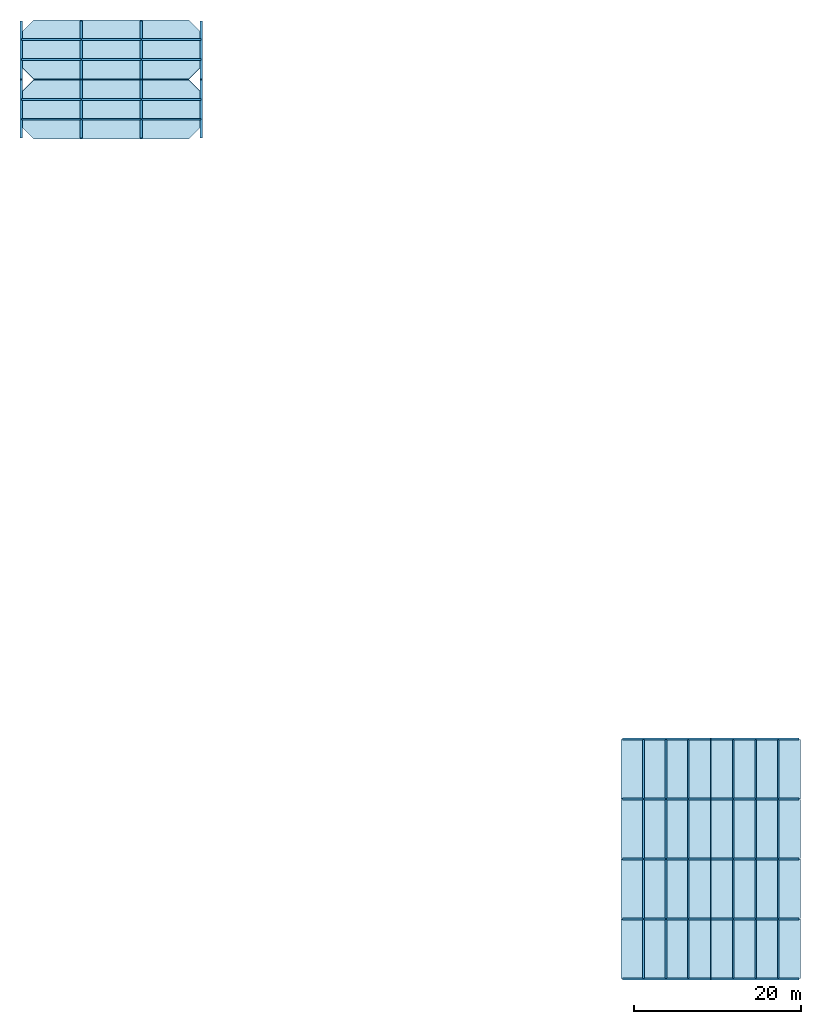
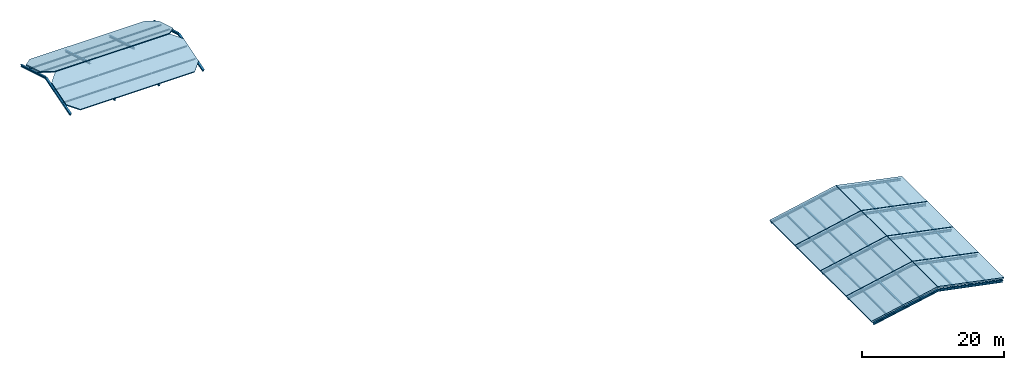
# One storey: 54 members, 10 slabs.
"""IFC4 building model written with IfcOpenShell, lengths in metres."""

from ifc_helpers import new_model, si_unit, direction, frame, origin, origin_2d, place, context, subcontext, project, spatial, polyline, i_section, outline, extrude, material, layer, layer_set, material_profile, profile_set, type_object, element, save


model = new_model("IFC4")

# Units and contexts
model_context = context("Model", 3, precision=1e-05, world=origin(), true_north=direction((0.0, 1.0)))
body_context = subcontext(model_context, "Body", "Model", "MODEL_VIEW")
ifc_project = project(units=[si_unit("LENGTHUNIT", "METRE"), si_unit("AREAUNIT", "SQUARE_METRE"), si_unit("VOLUMEUNIT", "CUBIC_METRE"), si_unit("PLANEANGLEUNIT", "RADIAN"), si_unit("MASSUNIT", "GRAM", prefix="KILO")], contexts=[model_context])

# Site, building, storey
site_placement = place(None, origin())
site = spatial("IfcSite", under=ifc_project, at=site_placement, CompositionType="ELEMENT")
building_placement = place(site_placement, origin())
building = spatial("IfcBuilding", under=site, at=building_placement, Name="Koriwan Promenade Central Fire Station", CompositionType="ELEMENT")
storey_placement = place(building_placement, frame((0.0, 0.0, 25.199951171875)))
storey = spatial("IfcBuildingStorey", under=building, at=storey_placement, Name="ROOF", CompositionType="ELEMENT", Elevation=25.199951171875)

# Members
ifc_material_1 = material(Name="Steel ASTM A992 Grade 50", Category="steel")
ifc_material_profile_1 = material_profile(ifc_material_1, i_section(OverallWidth=0.304931640625, OverallDepth=0.30810546875, WebThickness=0.010009765625, FlangeThickness=0.015380859375, FilletRadius=0.014892578125, at=origin_2d()), Name="W310x97")
ifc_profile_set_1 = profile_set([ifc_material_profile_1], Name="Steel ASTM A992 Grade 50")
member_type_1 = type_object("IfcMemberType", Name="Member_CHORD_W310x97", PredefinedType="CHORD", material=ifc_profile_set_1)
for number, where, z_axis, x_axis, name in (
    (1, (79.199951171875, 101.0, -0.449951171875), (0.0, 0.957822607396, 0.287360144699), (-1.0, 0.0, 0.0), "V2 crown south rafter 1"),
    (2, (79.199951171875, 108.0, 1.650146484375), (0.0, 0.957822607396, -0.287360144699), (-1.0, 0.0, 0.0), "V2 crown north rafter 1"),
    (3, (86.39990234375, 101.0, -0.449951171875), (0.0, 0.957822607396, 0.287360144699), (-1.0, 0.0, 0.0), "V2 crown south rafter 2"),
    (4, (86.39990234375, 108.0, 1.650146484375), (0.0, 0.957822607396, -0.287360144699), (-1.0, 0.0, 0.0), "V2 crown north rafter 2"),
    (5, (93.60009765625, 101.0, -0.449951171875), (0.0, 0.957822607396, 0.287360144699), (-1.0, 0.0, 0.0), "V2 crown south rafter 3"),
    (6, (93.60009765625, 108.0, 1.650146484375), (0.0, 0.957822607396, -0.287360144699), (-1.0, 0.0, 0.0), "V2 crown north rafter 3"),
    (7, (100.800048828125, 101.0, -0.449951171875), (0.0, 0.957822607396, 0.287360144699), (-1.0, 0.0, 0.0), "V2 crown south rafter 4"),
    (8, (100.800048828125, 108.0, 1.650146484375), (0.0, 0.957822607396, -0.287360144699), (-1.0, 0.0, 0.0), "V2 crown north rafter 4"),
):
    element("IfcMember", number, at=place(storey_placement, frame(where, z_axis=z_axis, x_axis=x_axis)), inside=storey, type_object=member_type_1, Name=name, PredefinedType="CHORD", context=body_context, shape_type="SweptSolid", body=[
        extrude(i_section(OverallWidth=0.304931640625, OverallDepth=0.30810546875, WebThickness=0.010009765625, FlangeThickness=0.015380859375, FilletRadius=0.014892578125, at=origin_2d()), origin(), (0.0, 0.0, 1.0), 7.308349609375),
    ])
ifc_material_profile_2 = material_profile(ifc_material_1, i_section(OverallWidth=0.257080078125, OverallDepth=0.363037109375, WebThickness=0.012939453125, FlangeThickness=0.021728515625, FilletRadius=0.014892578125, at=origin_2d()), Name="W360x122")
ifc_profile_set_2 = profile_set([ifc_material_profile_2], Name="Steel ASTM A992 Grade 50")
member_type_2 = type_object("IfcMemberType", Name="Member_CHORD_W360x122", PredefinedType="CHORD", material=ifc_profile_set_2)
for number, where, z_axis, x_axis, name in (
    (9, (151.449951171875, 0.0, -0.47998046875), (0.980757477931, 0.0, 0.195230042468), (0.0, 1.0, 0.0), "V5 crown west rafter 1"),
    (10, (162.0, 0.0, 1.6201171875), (0.980757477931, 0.0, -0.195230042468), (0.0, 1.0, 0.0), "V5 crown east rafter 1"),
    (11, (151.449951171875, 7.199951171875, -0.47998046875), (0.980757477931, 0.0, 0.195230042468), (0.0, 1.0, 0.0), "V5 crown west rafter 2"),
    (12, (162.0, 7.199951171875, 1.6201171875), (0.980757477931, 0.0, -0.195230042468), (0.0, 1.0, 0.0), "V5 crown east rafter 2"),
    (13, (151.449951171875, 14.39990234375, -0.47998046875), (0.980757477931, 0.0, 0.195230042468), (0.0, 1.0, 0.0), "V5 crown west rafter 3"),
    (14, (162.0, 14.39990234375, 1.6201171875), (0.980757477931, 0.0, -0.195230042468), (0.0, 1.0, 0.0), "V5 crown east rafter 3"),
    (15, (151.449951171875, 21.60009765625, -0.47998046875), (0.980757477931, 0.0, 0.195230042468), (0.0, 1.0, 0.0), "V5 crown west rafter 4"),
    (16, (162.0, 21.60009765625, 1.6201171875), (0.980757477931, 0.0, -0.195230042468), (0.0, 1.0, 0.0), "V5 crown east rafter 4"),
    (17, (151.449951171875, 28.800048828125, -0.47998046875), (0.980757477931, 0.0, 0.195230042468), (0.0, 1.0, 0.0), "V5 crown west rafter 5"),
    (18, (162.0, 28.800048828125, 1.6201171875), (0.980757477931, 0.0, -0.195230042468), (0.0, 1.0, 0.0), "V5 crown east rafter 5"),
):
    element("IfcMember", number, at=place(storey_placement, frame(where, z_axis=z_axis, x_axis=x_axis)), inside=storey, type_object=member_type_2, Name=name, PredefinedType="CHORD", context=body_context, shape_type="SweptSolid", body=[
        extrude(i_section(OverallWidth=0.257080078125, OverallDepth=0.363037109375, WebThickness=0.012939453125, FlangeThickness=0.021728515625, FilletRadius=0.014892578125, at=origin_2d()), origin(), (0.0, 0.0, 1.0), 10.757080078125),
    ])
ifc_material_profile_3 = material_profile(ifc_material_1, i_section(OverallWidth=0.202880859375, OverallDepth=0.202880859375, WebThickness=0.007080078125, FlangeThickness=0.010986328125, FilletRadius=0.010009765625, at=origin_2d()), Name="W200x46")
ifc_profile_set_3 = profile_set([ifc_material_profile_3], Name="Steel ASTM A992 Grade 50")
member_type_3 = type_object("IfcMemberType", Name="Member_PURLIN_W200x46", PredefinedType="PURLIN", material=ifc_profile_set_3)
for number, where, z_axis, x_axis, name in (
    (19, (79.239990234375, 103.199951171875, 0.27783203125), (1.0, 0.0, 0.0), (0.0, 1.0, 0.0), "V2 crown purlin 1-1"),
    (20, (79.239990234375, 105.60009765625, 1.01123046875), (1.0, 0.0, 0.0), (0.0, 1.0, 0.0), "V2 crown purlin 1-2"),
    (21, (79.239990234375, 110.39990234375, 1.01123046875), (1.0, 0.0, 0.0), (0.0, 1.0, 0.0), "V2 crown purlin 1-3"),
    (22, (79.239990234375, 112.800048828125, 0.27783203125), (1.0, 0.0, 0.0), (0.0, 1.0, 0.0), "V2 crown purlin 1-4"),
    (23, (86.43994140625, 103.199951171875, 0.27783203125), (1.0, 0.0, 0.0), (0.0, 1.0, 0.0), "V2 crown purlin 2-1"),
    (24, (86.43994140625, 105.60009765625, 1.01123046875), (1.0, 0.0, 0.0), (0.0, 1.0, 0.0), "V2 crown purlin 2-2"),
    (25, (86.43994140625, 110.39990234375, 1.01123046875), (1.0, 0.0, 0.0), (0.0, 1.0, 0.0), "V2 crown purlin 2-3"),
    (26, (86.43994140625, 112.800048828125, 0.27783203125), (1.0, 0.0, 0.0), (0.0, 1.0, 0.0), "V2 crown purlin 2-4"),
    (27, (93.639892578125, 103.199951171875, 0.27783203125), (1.0, 0.0, 0.0), (0.0, 1.0, 0.0), "V2 crown purlin 3-1"),
    (28, (93.639892578125, 105.60009765625, 1.01123046875), (1.0, 0.0, 0.0), (0.0, 1.0, 0.0), "V2 crown purlin 3-2"),
    (29, (93.639892578125, 110.39990234375, 1.01123046875), (1.0, 0.0, 0.0), (0.0, 1.0, 0.0), "V2 crown purlin 3-3"),
    (30, (93.639892578125, 112.800048828125, 0.27783203125), (1.0, 0.0, 0.0), (0.0, 1.0, 0.0), "V2 crown purlin 3-4"),
):
    element("IfcMember", number, at=place(storey_placement, frame(where, z_axis=z_axis, x_axis=x_axis)), inside=storey, type_object=member_type_3, Name=name, PredefinedType="PURLIN", context=body_context, shape_type="SweptSolid", body=[
        extrude(i_section(OverallWidth=0.202880859375, OverallDepth=0.202880859375, WebThickness=0.007080078125, FlangeThickness=0.010986328125, FilletRadius=0.010009765625, at=origin_2d()), origin(), (0.0, 0.0, 1.0), 7.1201171875),
    ])
ifc_material_profile_4 = material_profile(ifc_material_1, i_section(OverallWidth=0.202880859375, OverallDepth=0.251953125, WebThickness=0.008056640625, FlangeThickness=0.013427734375, FilletRadius=0.012939453125, at=origin_2d()), Name="W250x58")
ifc_profile_set_4 = profile_set([ifc_material_profile_4], Name="Steel ASTM A992 Grade 50")
member_type_4 = type_object("IfcMemberType", Name="Member_PURLIN_W250x58", PredefinedType="PURLIN", material=ifc_profile_set_4)
for number, where, z_axis, x_axis, name in (
    (31, (153.89990234375, 0.0400390625, 0.03173828125), (0.0, 1.0, 0.0), (-1.0, 0.0, 0.0), "V5 crown purlin 1-1"),
    (32, (156.60009765625, 0.0400390625, 0.58154296875), (0.0, 1.0, 0.0), (-1.0, 0.0, 0.0), "V5 crown purlin 1-2"),
    (33, (159.300048828125, 0.0400390625, 1.131591796875), (0.0, 1.0, 0.0), (-1.0, 0.0, 0.0), "V5 crown purlin 1-3"),
    (34, (164.699951171875, 0.0400390625, 1.131591796875), (0.0, 1.0, 0.0), (-1.0, 0.0, 0.0), "V5 crown purlin 1-4"),
    (35, (167.39990234375, 0.0400390625, 0.58154296875), (0.0, 1.0, 0.0), (-1.0, 0.0, 0.0), "V5 crown purlin 1-5"),
    (36, (170.10009765625, 0.0400390625, 0.03173828125), (0.0, 1.0, 0.0), (-1.0, 0.0, 0.0), "V5 crown purlin 1-6"),
):
    element("IfcMember", number, at=place(storey_placement, frame(where, z_axis=z_axis, x_axis=x_axis)), inside=storey, type_object=member_type_4, Name=name, PredefinedType="PURLIN", context=body_context, shape_type="SweptSolid", body=[
        extrude(i_section(OverallWidth=0.202880859375, OverallDepth=0.251953125, WebThickness=0.008056640625, FlangeThickness=0.013427734375, FilletRadius=0.012939453125, at=origin_2d()), origin(), (0.0, 0.0, 1.0), 7.119873046875),
    ])
for number, where, z_axis, x_axis, name in (
    (37, (153.89990234375, 7.239990234375, 0.03173828125), (0.0, 1.0, 0.0), (-1.0, 0.0, 0.0), "V5 crown purlin 2-1"),
    (38, (156.60009765625, 7.239990234375, 0.58154296875), (0.0, 1.0, 0.0), (-1.0, 0.0, 0.0), "V5 crown purlin 2-2"),
    (39, (159.300048828125, 7.239990234375, 1.131591796875), (0.0, 1.0, 0.0), (-1.0, 0.0, 0.0), "V5 crown purlin 2-3"),
    (40, (164.699951171875, 7.239990234375, 1.131591796875), (0.0, 1.0, 0.0), (-1.0, 0.0, 0.0), "V5 crown purlin 2-4"),
    (41, (167.39990234375, 7.239990234375, 0.58154296875), (0.0, 1.0, 0.0), (-1.0, 0.0, 0.0), "V5 crown purlin 2-5"),
    (42, (170.10009765625, 7.239990234375, 0.03173828125), (0.0, 1.0, 0.0), (-1.0, 0.0, 0.0), "V5 crown purlin 2-6"),
    (43, (153.89990234375, 14.43994140625, 0.03173828125), (0.0, 1.0, 0.0), (-1.0, 0.0, 0.0), "V5 crown purlin 3-1"),
    (44, (156.60009765625, 14.43994140625, 0.58154296875), (0.0, 1.0, 0.0), (-1.0, 0.0, 0.0), "V5 crown purlin 3-2"),
    (45, (159.300048828125, 14.43994140625, 1.131591796875), (0.0, 1.0, 0.0), (-1.0, 0.0, 0.0), "V5 crown purlin 3-3"),
    (46, (164.699951171875, 14.43994140625, 1.131591796875), (0.0, 1.0, 0.0), (-1.0, 0.0, 0.0), "V5 crown purlin 3-4"),
    (47, (167.39990234375, 14.43994140625, 0.58154296875), (0.0, 1.0, 0.0), (-1.0, 0.0, 0.0), "V5 crown purlin 3-5"),
    (48, (170.10009765625, 14.43994140625, 0.03173828125), (0.0, 1.0, 0.0), (-1.0, 0.0, 0.0), "V5 crown purlin 3-6"),
    (49, (153.89990234375, 21.639892578125, 0.03173828125), (0.0, 1.0, 0.0), (-1.0, 0.0, 0.0), "V5 crown purlin 4-1"),
    (50, (156.60009765625, 21.639892578125, 0.58154296875), (0.0, 1.0, 0.0), (-1.0, 0.0, 0.0), "V5 crown purlin 4-2"),
    (51, (159.300048828125, 21.639892578125, 1.131591796875), (0.0, 1.0, 0.0), (-1.0, 0.0, 0.0), "V5 crown purlin 4-3"),
    (52, (164.699951171875, 21.639892578125, 1.131591796875), (0.0, 1.0, 0.0), (-1.0, 0.0, 0.0), "V5 crown purlin 4-4"),
    (53, (167.39990234375, 21.639892578125, 0.58154296875), (0.0, 1.0, 0.0), (-1.0, 0.0, 0.0), "V5 crown purlin 4-5"),
    (54, (170.10009765625, 21.639892578125, 0.03173828125), (0.0, 1.0, 0.0), (-1.0, 0.0, 0.0), "V5 crown purlin 4-6"),
):
    element("IfcMember", number, at=place(storey_placement, frame(where, z_axis=z_axis, x_axis=x_axis)), inside=storey, type_object=member_type_4, Name=name, PredefinedType="PURLIN", context=body_context, shape_type="SweptSolid", body=[
        extrude(i_section(OverallWidth=0.202880859375, OverallDepth=0.251953125, WebThickness=0.008056640625, FlangeThickness=0.013427734375, FilletRadius=0.012939453125, at=origin_2d()), origin(), (0.0, 0.0, 1.0), 7.1201171875),
    ])

# Slabs
ifc_material_2 = material(Name="Concrete C35/45", Category="concrete")
ifc_layer_1 = layer(ifc_material_2, 0.199951171875, Name="Concrete C35/45")
ifc_layer_set_1 = layer_set([ifc_layer_1], Name="Concrete C35/45")
slab_type_1 = type_object("IfcSlabType", Name="RoofSlab_200", PredefinedType="ROOF", material=ifc_layer_set_1)
for number, where, z_axis, x_axis, name in (
    (55, (80.68505859375, 100.864990234375, 0.0), (0.0, -0.297112662021, 0.954842429968), (1.0, 0.0, 0.0), "V2 drill tower pitched chhajja south roof slab"),
    (56, (80.68505859375, 108.06494140625, 2.199951171875), (0.0, 0.297112662021, 0.954842429968), (1.0, 0.0, 0.0), "V2 drill tower pitched chhajja north roof slab"),
):
    element("IfcSlab", number, at=place(storey_placement, frame(where, z_axis=z_axis, x_axis=x_axis)), inside=storey, type_object=slab_type_1, Name=name, PredefinedType="ROOF", context=body_context, shape_type="SweptSolid", body=[
        extrude(outline(polyline([(0.0, 0.0), (18.6298828125, 0.0), (20.079833984375, 1.5185237770980264), (20.079833984375, 5.885910824197989), (18.6298828125, 7.404434601296015), (0.0, 7.404434601296015), (-1.449951171875, 5.885910824197989), (-1.449951171875, 1.5185237770980264), (0.0, 0.0)])), origin(), (0.0, 0.0, -1.0), 0.199951171875),
    ])
ifc_layer_2 = layer(ifc_material_2, 0.260009765625, Name="Concrete C35/45")
ifc_layer_set_2 = layer_set([ifc_layer_2], Name="Concrete C35/45")
slab_type_2 = type_object("IfcSlabType", Name="RoofSlab_260", PredefinedType="ROOF", material=ifc_layer_set_2)
for number, where, z_axis, x_axis, name in (
    (57, (151.22998046875, 0.030029296875, 0.0), (-0.200670705446, 0.0, 0.979658750778), (0.979658750778, 0.0, 0.200670705446), "V5 headquarters chhajja west pitched roof slab 1"),
    (58, (162.030029296875, 0.030029296875, 2.199951171875), (0.200670705446, 0.0, 0.979658750778), (0.979658750778, 0.0, -0.200670705446), "V5 headquarters chhajja east pitched roof slab 1"),
):
    element("IfcSlab", number, at=place(storey_placement, frame(where, z_axis=z_axis, x_axis=x_axis)), inside=storey, type_object=slab_type_2, Name=name, PredefinedType="ROOF", context=body_context, shape_type="SweptSolid", body=[
        extrude(outline(polyline([(0.0, 0.0), (10.96299116998206, 0.0), (10.96299116998206, 7.139892578125), (0.0, 7.139892578125), (0.0, 0.0)])), origin(), (0.0, 0.0, -1.0), 0.260009765625),
    ])
for number, where, z_axis, x_axis, name in (
    (59, (151.22998046875, 7.22998046875, 0.0), (-0.200670705446, 0.0, 0.979658750778), (0.979658750778, 0.0, 0.200670705446), "V5 headquarters chhajja west pitched roof slab 2"),
    (60, (162.030029296875, 7.22998046875, 2.199951171875), (0.200670705446, 0.0, 0.979658750778), (0.979658750778, 0.0, -0.200670705446), "V5 headquarters chhajja east pitched roof slab 2"),
    (61, (151.22998046875, 14.429931640625, 0.0), (-0.200670705446, 0.0, 0.979658750778), (0.979658750778, 0.0, 0.200670705446), "V5 headquarters chhajja west pitched roof slab 3"),
    (62, (162.030029296875, 14.429931640625, 2.199951171875), (0.200670705446, 0.0, 0.979658750778), (0.979658750778, 0.0, -0.200670705446), "V5 headquarters chhajja east pitched roof slab 3"),
    (63, (151.22998046875, 21.6298828125, 0.0), (-0.200670705446, 0.0, 0.979658750778), (0.979658750778, 0.0, 0.200670705446), "V5 headquarters chhajja west pitched roof slab 4"),
    (64, (162.030029296875, 21.6298828125, 2.199951171875), (0.200670705446, 0.0, 0.979658750778), (0.979658750778, 0.0, -0.200670705446), "V5 headquarters chhajja east pitched roof slab 4"),
):
    element("IfcSlab", number, at=place(storey_placement, frame(where, z_axis=z_axis, x_axis=x_axis)), inside=storey, type_object=slab_type_2, Name=name, PredefinedType="ROOF", context=body_context, shape_type="SweptSolid", body=[
        extrude(outline(polyline([(0.0, 0.0), (10.96299116998206, 0.0), (10.96299116998206, 7.14013671875), (0.0, 7.14013671875), (0.0, 0.0)])), origin(), (0.0, 0.0, -1.0), 0.260009765625),
    ])

save(model, "model.ifc")
